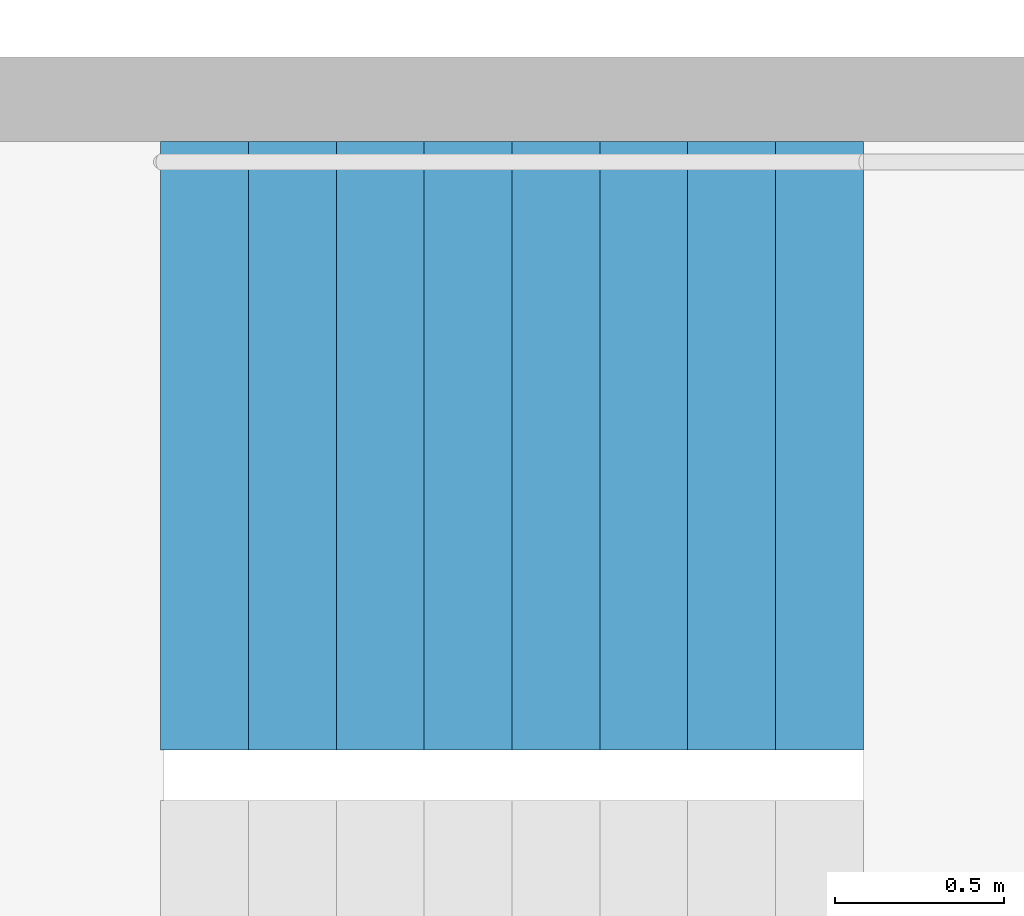
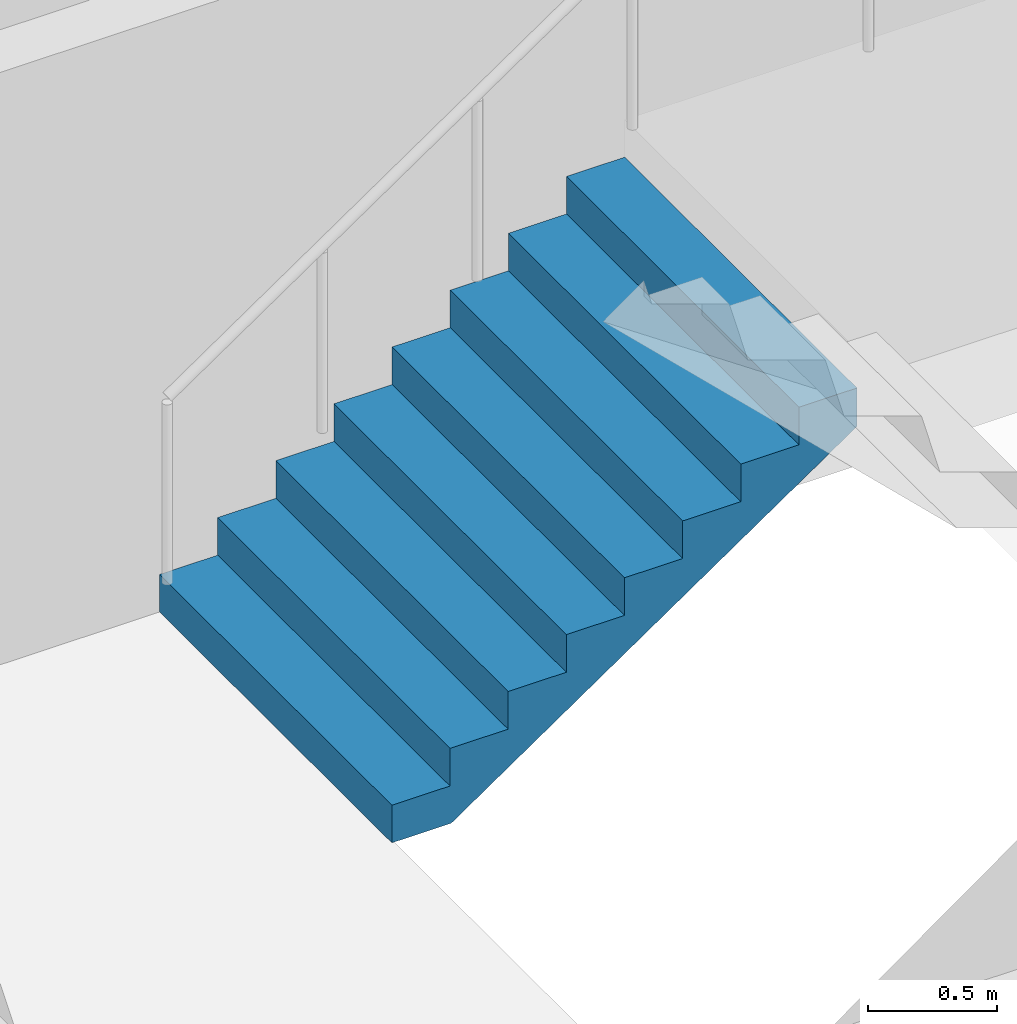
# One storey, part 26 of 29: 1 stair flight, 1 element without a shape of its own.
"""IFC4 building model written with IfcOpenShell, lengths in metres."""

from ifc_helpers import new_model, si_unit, direction, frame, origin, place, context, subcontext, project, spatial, triangles, material, type_object, element, aggregate, save


model = new_model("IFC4")

# Units and contexts
model_context = context("Model", 3, precision=1e-05, world=origin(), true_north=direction((0.0, 1.0)))
body_context = subcontext(model_context, "Body", "Model", "MODEL_VIEW")
ifc_project = project(units=[si_unit("LENGTHUNIT", "METRE"), si_unit("AREAUNIT", "SQUARE_METRE"), si_unit("VOLUMEUNIT", "CUBIC_METRE"), si_unit("PLANEANGLEUNIT", "RADIAN"), si_unit("MASSUNIT", "GRAM", prefix="KILO")], contexts=[model_context])

# Site, building, storey
site_placement = place(None, origin())
site = spatial("IfcSite", under=ifc_project, at=site_placement, CompositionType="ELEMENT")
building_placement = place(site_placement, origin())
building = spatial("IfcBuilding", under=site, at=building_placement, Name="Hakoniwa Tower and Hamabe Station Hall", CompositionType="ELEMENT")
storey_placement = place(building_placement, frame((0.0, 0.0, 104.199951171875)))
storey = spatial("IfcBuildingStorey", under=building, at=storey_placement, Name="L29", CompositionType="ELEMENT", Elevation=104.199951171875)

# Stair, stair flight
ifc_material_1 = material(Name="Concrete C40", Category="concrete")
stair_type = type_object("IfcStairType", Name="ESCAPE STAIR 1800", PredefinedType="HALF_TURN_STAIR", material=ifc_material_1)
stair_placement = place(storey_placement, origin())
stair = element("IfcStair", 1, at=stair_placement, inside=storey, type_object=stair_type, Name="Escape stair ST-4 L29", PredefinedType="HALF_TURN_STAIR")
ifc_material_2 = material(Name="Concrete C40", Category="concrete")
stair_flight_type = type_object("IfcStairFlightType", Name="STAIR FLIGHT 1800", PredefinedType="STRAIGHT", material=ifc_material_2)
stair_flight_placement = place(storey_placement, frame((23.39990234375, -4.64990234375, 0.0), z_axis=(0.0, 0.0, 1.0), x_axis=(1.0, 0.0, 0.0)))
stair_flight = element("IfcStairFlight", 2, at=stair_flight_placement, type_object=stair_flight_type, Name="ST-4 flight 1", NumberOfRisers=9, NumberOfTreads=8, PredefinedType="STRAIGHT", RiserHeight=0.177777778, TreadLength=0.26, context=body_context, shape_type="Tessellation", body=[
    triangles([(0.0, 0.89990234375, 0.0), (0.260009765625, 0.89990234375, 0.0), (0.265625, 0.89990234375, 0.0), (0.52001953125, 0.89990234375, 0.174072265625), (0.780029296875, 0.89990234375, 0.351806640625), (1.0400390625, 0.89990234375, 0.529541015625), (1.300048828125, 0.89990234375, 0.707275390625), (1.56005859375, 0.89990234375, 0.885009765625), (1.820068359375, 0.89990234375, 1.062744140625), (2.080078125, 0.89990234375, 1.24072265625), (2.080078125, 0.89990234375, 1.422119140625), (1.820068359375, 0.89990234375, 1.422119140625), (1.820068359375, 0.89990234375, 1.244384765625), (1.56005859375, 0.89990234375, 1.244384765625), (1.56005859375, 0.89990234375, 1.066650390625), (1.300048828125, 0.89990234375, 1.066650390625), (1.300048828125, 0.89990234375, 0.888916015625), (1.0400390625, 0.89990234375, 0.888916015625), (1.0400390625, 0.89990234375, 0.711181640625), (0.780029296875, 0.89990234375, 0.711181640625), (0.780029296875, 0.89990234375, 0.533447265625), (0.52001953125, 0.89990234375, 0.533447265625), (0.52001953125, 0.89990234375, 0.35546875), (0.265625, 0.89990234375, 0.35546875), (0.260009765625, 0.89990234375, 0.35546875), (0.260009765625, 0.89990234375, 0.177734375), (0.0, 0.89990234375, 0.177734375), (0.0, 0.06005859375, 0.0), (0.260009765625, 0.06005859375, 0.0), (0.265625, 0.06005859375, 0.0), (0.52001953125, 0.06005859375, 0.174072265625), (0.780029296875, 0.06005859375, 0.351806640625), (1.0400390625, 0.06005859375, 0.529541015625), (1.300048828125, 0.06005859375, 0.707275390625), (1.56005859375, 0.06005859375, 0.885009765625), (1.820068359375, 0.06005859375, 1.062744140625), (2.080078125, 0.06005859375, 1.24072265625), (2.080078125, 0.06005859375, 1.422119140625), (1.820068359375, 0.06005859375, 1.422119140625), (1.820068359375, 0.06005859375, 1.244384765625), (1.56005859375, 0.06005859375, 1.244384765625), (1.56005859375, 0.06005859375, 1.066650390625), (1.300048828125, 0.06005859375, 1.066650390625), (1.300048828125, 0.06005859375, 0.888916015625), (1.0400390625, 0.06005859375, 0.888916015625), (1.0400390625, 0.06005859375, 0.711181640625), (0.780029296875, 0.06005859375, 0.711181640625), (0.780029296875, 0.06005859375, 0.533447265625), (0.52001953125, 0.06005859375, 0.533447265625), (0.52001953125, 0.06005859375, 0.35546875), (0.265625, 0.06005859375, 0.35546875), (0.260009765625, 0.06005859375, 0.35546875), (0.260009765625, 0.06005859375, 0.177734375), (0.0, 0.06005859375, 0.177734375), (0.0, 0.04296875, 0.0), (0.260009765625, 0.04296875, 0.0), (0.265625, 0.04296875, 0.0), (0.52001953125, 0.04296875, 0.174072265625), (0.780029296875, 0.04296875, 0.351806640625), (1.0400390625, 0.04296875, 0.529541015625), (1.300048828125, 0.04296875, 0.707275390625), (1.56005859375, 0.04296875, 0.885009765625), (1.820068359375, 0.04296875, 1.062744140625), (2.080078125, 0.04296875, 1.24072265625), (2.080078125, 0.04296875, 1.422119140625), (1.820068359375, 0.04296875, 1.422119140625), (1.820068359375, 0.04296875, 1.244384765625), (1.56005859375, 0.04296875, 1.244384765625), (1.56005859375, 0.04296875, 1.066650390625), (1.300048828125, 0.04296875, 1.066650390625), (1.300048828125, 0.04296875, 0.888916015625), (1.0400390625, 0.04296875, 0.888916015625), (1.0400390625, 0.04296875, 0.711181640625), (0.780029296875, 0.04296875, 0.711181640625), (0.780029296875, 0.04296875, 0.533447265625), (0.52001953125, 0.04296875, 0.533447265625), (0.52001953125, 0.04296875, 0.35546875), (0.265625, 0.04296875, 0.35546875), (0.260009765625, 0.04296875, 0.35546875), (0.260009765625, 0.04296875, 0.177734375), (0.0, 0.04296875, 0.177734375), (0.0, 0.025634765625, 0.0), (0.260009765625, 0.025634765625, 0.0), (0.265625, 0.025634765625, 0.0), (0.52001953125, 0.025634765625, 0.174072265625), (0.780029296875, 0.025634765625, 0.351806640625), (1.0400390625, 0.025634765625, 0.529541015625), (1.300048828125, 0.025634765625, 0.707275390625), (1.56005859375, 0.025634765625, 0.885009765625), (1.820068359375, 0.025634765625, 1.062744140625), (2.080078125, 0.025634765625, 1.24072265625), (2.080078125, 0.025634765625, 1.422119140625), (1.820068359375, 0.025634765625, 1.422119140625), (1.820068359375, 0.025634765625, 1.244384765625), (1.56005859375, 0.025634765625, 1.244384765625), (1.56005859375, 0.025634765625, 1.066650390625), (1.300048828125, 0.025634765625, 1.066650390625), (1.300048828125, 0.025634765625, 0.888916015625), (1.0400390625, 0.025634765625, 0.888916015625), (1.0400390625, 0.025634765625, 0.711181640625), (0.780029296875, 0.025634765625, 0.711181640625), (0.780029296875, 0.025634765625, 0.533447265625), (0.52001953125, 0.025634765625, 0.533447265625), (0.52001953125, 0.025634765625, 0.35546875), (0.265625, 0.025634765625, 0.35546875), (0.260009765625, 0.025634765625, 0.35546875), (0.260009765625, 0.025634765625, 0.177734375), (0.0, 0.025634765625, 0.177734375), (0.0, 0.008544921875, 0.0), (0.260009765625, 0.008544921875, 0.0), (0.265625, 0.008544921875, 0.0), (0.52001953125, 0.008544921875, 0.174072265625), (0.780029296875, 0.008544921875, 0.351806640625), (1.0400390625, 0.008544921875, 0.529541015625), (1.300048828125, 0.008544921875, 0.707275390625), (1.56005859375, 0.008544921875, 0.885009765625), (1.820068359375, 0.008544921875, 1.062744140625), (2.080078125, 0.008544921875, 1.24072265625), (2.080078125, 0.008544921875, 1.422119140625), (1.820068359375, 0.008544921875, 1.422119140625), (1.820068359375, 0.008544921875, 1.244384765625), (1.56005859375, 0.008544921875, 1.244384765625), (1.56005859375, 0.008544921875, 1.066650390625), (1.300048828125, 0.008544921875, 1.066650390625), (1.300048828125, 0.008544921875, 0.888916015625), (1.0400390625, 0.008544921875, 0.888916015625), (1.0400390625, 0.008544921875, 0.711181640625), (0.780029296875, 0.008544921875, 0.711181640625), (0.780029296875, 0.008544921875, 0.533447265625), (0.52001953125, 0.008544921875, 0.533447265625), (0.52001953125, 0.008544921875, 0.35546875), (0.265625, 0.008544921875, 0.35546875), (0.260009765625, 0.008544921875, 0.35546875), (0.260009765625, 0.008544921875, 0.177734375), (0.0, 0.008544921875, 0.177734375), (0.0, -0.008544921875, 0.0), (0.260009765625, -0.008544921875, 0.0), (0.265625, -0.008544921875, 0.0), (0.52001953125, -0.008544921875, 0.174072265625), (0.780029296875, -0.008544921875, 0.351806640625), (1.0400390625, -0.008544921875, 0.529541015625), (1.300048828125, -0.008544921875, 0.707275390625), (1.56005859375, -0.008544921875, 0.885009765625), (1.820068359375, -0.008544921875, 1.062744140625), (2.080078125, -0.008544921875, 1.24072265625), (2.080078125, -0.008544921875, 1.422119140625), (1.820068359375, -0.008544921875, 1.422119140625), (1.820068359375, -0.008544921875, 1.244384765625), (1.56005859375, -0.008544921875, 1.244384765625), (1.56005859375, -0.008544921875, 1.066650390625), (1.300048828125, -0.008544921875, 1.066650390625), (1.300048828125, -0.008544921875, 0.888916015625), (1.0400390625, -0.008544921875, 0.888916015625), (1.0400390625, -0.008544921875, 0.711181640625), (0.780029296875, -0.008544921875, 0.711181640625), (0.780029296875, -0.008544921875, 0.533447265625), (0.52001953125, -0.008544921875, 0.533447265625), (0.52001953125, -0.008544921875, 0.35546875), (0.265625, -0.008544921875, 0.35546875), (0.260009765625, -0.008544921875, 0.35546875), (0.260009765625, -0.008544921875, 0.177734375), (0.0, -0.008544921875, 0.177734375), (0.0, -0.025634765625, 0.0), (0.260009765625, -0.025634765625, 0.0), (0.265625, -0.025634765625, 0.0), (0.52001953125, -0.025634765625, 0.174072265625), (0.780029296875, -0.025634765625, 0.351806640625), (1.0400390625, -0.025634765625, 0.529541015625), (1.300048828125, -0.025634765625, 0.707275390625), (1.56005859375, -0.025634765625, 0.885009765625), (1.820068359375, -0.025634765625, 1.062744140625), (2.080078125, -0.025634765625, 1.24072265625), (2.080078125, -0.025634765625, 1.422119140625), (1.820068359375, -0.025634765625, 1.422119140625), (1.820068359375, -0.025634765625, 1.244384765625), (1.56005859375, -0.025634765625, 1.244384765625), (1.56005859375, -0.025634765625, 1.066650390625), (1.300048828125, -0.025634765625, 1.066650390625), (1.300048828125, -0.025634765625, 0.888916015625), (1.0400390625, -0.025634765625, 0.888916015625), (1.0400390625, -0.025634765625, 0.711181640625), (0.780029296875, -0.025634765625, 0.711181640625), (0.780029296875, -0.025634765625, 0.533447265625), (0.52001953125, -0.025634765625, 0.533447265625), (0.52001953125, -0.025634765625, 0.35546875), (0.265625, -0.025634765625, 0.35546875), (0.260009765625, -0.025634765625, 0.35546875), (0.260009765625, -0.025634765625, 0.177734375), (0.0, -0.025634765625, 0.177734375), (0.0, -0.04296875, 0.0), (0.260009765625, -0.04296875, 0.0), (0.265625, -0.04296875, 0.0), (0.52001953125, -0.04296875, 0.174072265625), (0.780029296875, -0.04296875, 0.351806640625), (1.0400390625, -0.04296875, 0.529541015625), (1.300048828125, -0.04296875, 0.707275390625), (1.56005859375, -0.04296875, 0.885009765625), (1.820068359375, -0.04296875, 1.062744140625), (2.080078125, -0.04296875, 1.24072265625), (2.080078125, -0.04296875, 1.422119140625), (1.820068359375, -0.04296875, 1.422119140625), (1.820068359375, -0.04296875, 1.244384765625), (1.56005859375, -0.04296875, 1.244384765625), (1.56005859375, -0.04296875, 1.066650390625), (1.300048828125, -0.04296875, 1.066650390625), (1.300048828125, -0.04296875, 0.888916015625), (1.0400390625, -0.04296875, 0.888916015625), (1.0400390625, -0.04296875, 0.711181640625), (0.780029296875, -0.04296875, 0.711181640625), (0.780029296875, -0.04296875, 0.533447265625), (0.52001953125, -0.04296875, 0.533447265625), (0.52001953125, -0.04296875, 0.35546875), (0.265625, -0.04296875, 0.35546875), (0.260009765625, -0.04296875, 0.35546875), (0.260009765625, -0.04296875, 0.177734375), (0.0, -0.04296875, 0.177734375), (0.0, -0.06005859375, 0.0), (0.260009765625, -0.06005859375, 0.0), (0.265625, -0.06005859375, 0.0), (0.52001953125, -0.06005859375, 0.174072265625), (0.780029296875, -0.06005859375, 0.351806640625), (1.0400390625, -0.06005859375, 0.529541015625), (1.300048828125, -0.06005859375, 0.707275390625), (1.56005859375, -0.06005859375, 0.885009765625), (1.820068359375, -0.06005859375, 1.062744140625), (2.080078125, -0.06005859375, 1.24072265625), (2.080078125, -0.06005859375, 1.422119140625), (1.820068359375, -0.06005859375, 1.422119140625), (1.820068359375, -0.06005859375, 1.244384765625), (1.56005859375, -0.06005859375, 1.244384765625), (1.56005859375, -0.06005859375, 1.066650390625), (1.300048828125, -0.06005859375, 1.066650390625), (1.300048828125, -0.06005859375, 0.888916015625), (1.0400390625, -0.06005859375, 0.888916015625), (1.0400390625, -0.06005859375, 0.711181640625), (0.780029296875, -0.06005859375, 0.711181640625), (0.780029296875, -0.06005859375, 0.533447265625), (0.52001953125, -0.06005859375, 0.533447265625), (0.52001953125, -0.06005859375, 0.35546875), (0.265625, -0.06005859375, 0.35546875), (0.260009765625, -0.06005859375, 0.35546875), (0.260009765625, -0.06005859375, 0.177734375), (0.0, -0.06005859375, 0.177734375), (0.0, -0.89990234375, 0.0), (0.260009765625, -0.89990234375, 0.0), (0.265625, -0.89990234375, 0.0), (0.52001953125, -0.89990234375, 0.174072265625), (0.780029296875, -0.89990234375, 0.351806640625), (1.0400390625, -0.89990234375, 0.529541015625), (1.300048828125, -0.89990234375, 0.707275390625), (1.56005859375, -0.89990234375, 0.885009765625), (1.820068359375, -0.89990234375, 1.062744140625), (2.080078125, -0.89990234375, 1.24072265625), (2.080078125, -0.89990234375, 1.422119140625), (1.820068359375, -0.89990234375, 1.422119140625), (1.820068359375, -0.89990234375, 1.244384765625), (1.56005859375, -0.89990234375, 1.244384765625), (1.56005859375, -0.89990234375, 1.066650390625), (1.300048828125, -0.89990234375, 1.066650390625), (1.300048828125, -0.89990234375, 0.888916015625), (1.0400390625, -0.89990234375, 0.888916015625), (1.0400390625, -0.89990234375, 0.711181640625), (0.780029296875, -0.89990234375, 0.711181640625), (0.780029296875, -0.89990234375, 0.533447265625), (0.52001953125, -0.89990234375, 0.533447265625), (0.52001953125, -0.89990234375, 0.35546875), (0.265625, -0.89990234375, 0.35546875), (0.260009765625, -0.89990234375, 0.35546875), (0.260009765625, -0.89990234375, 0.177734375), (0.0, -0.89990234375, 0.177734375)], [[2, 27, 26], [245, 269, 270], [2, 1, 27], [245, 270, 244], [3, 25, 24], [246, 267, 268], [3, 26, 25], [246, 268, 269], [3, 2, 26], [246, 269, 245], [4, 24, 23], [247, 266, 267], [4, 3, 24], [247, 267, 246], [5, 22, 21], [248, 264, 265], [5, 23, 22], [248, 265, 266], [5, 4, 23], [248, 266, 247], [6, 20, 19], [249, 262, 263], [6, 21, 20], [249, 263, 264], [6, 5, 21], [249, 264, 248], [7, 18, 17], [250, 260, 261], [7, 19, 18], [250, 261, 262], [7, 6, 19], [250, 262, 249], [8, 16, 15], [251, 258, 259], [8, 17, 16], [251, 259, 260], [8, 7, 17], [251, 260, 250], [9, 14, 13], [252, 256, 257], [9, 15, 14], [252, 257, 258], [9, 8, 15], [252, 258, 251], [10, 12, 11], [253, 254, 255], [10, 13, 12], [253, 255, 256], [10, 9, 13], [253, 256, 252], [1, 2, 29], [1, 29, 28], [28, 29, 56], [28, 56, 55], [55, 56, 83], [55, 83, 82], [82, 83, 110], [82, 110, 109], [109, 110, 137], [109, 137, 136], [136, 137, 164], [136, 164, 163], [163, 164, 191], [163, 191, 190], [190, 191, 218], [190, 218, 217], [217, 218, 245], [217, 245, 244], [2, 3, 30], [2, 30, 29], [29, 30, 57], [29, 57, 56], [56, 57, 84], [56, 84, 83], [83, 84, 111], [83, 111, 110], [110, 111, 138], [110, 138, 137], [137, 138, 165], [137, 165, 164], [164, 165, 192], [164, 192, 191], [191, 192, 219], [191, 219, 218], [218, 219, 246], [218, 246, 245], [3, 4, 31], [3, 31, 30], [30, 31, 58], [30, 58, 57], [57, 58, 85], [57, 85, 84], [84, 85, 112], [84, 112, 111], [111, 112, 139], [111, 139, 138], [138, 139, 166], [138, 166, 165], [165, 166, 193], [165, 193, 192], [192, 193, 220], [192, 220, 219], [219, 220, 247], [219, 247, 246], [4, 5, 32], [4, 32, 31], [31, 32, 59], [31, 59, 58], [58, 59, 86], [58, 86, 85], [85, 86, 113], [85, 113, 112], [112, 113, 140], [112, 140, 139], [139, 140, 167], [139, 167, 166], [166, 167, 194], [166, 194, 193], [193, 194, 221], [193, 221, 220], [220, 221, 248], [220, 248, 247], [5, 6, 33], [5, 33, 32], [32, 33, 60], [32, 60, 59], [59, 60, 87], [59, 87, 86], [86, 87, 114], [86, 114, 113], [113, 114, 141], [113, 141, 140], [140, 141, 168], [140, 168, 167], [167, 168, 195], [167, 195, 194], [194, 195, 222], [194, 222, 221], [221, 222, 249], [221, 249, 248], [6, 7, 34], [6, 34, 33], [33, 34, 61], [33, 61, 60], [60, 61, 88], [60, 88, 87], [87, 88, 115], [87, 115, 114], [114, 115, 142], [114, 142, 141], [141, 142, 169], [141, 169, 168], [168, 169, 196], [168, 196, 195], [195, 196, 223], [195, 223, 222], [222, 223, 250], [222, 250, 249], [7, 8, 35], [7, 35, 34], [34, 35, 62], [34, 62, 61], [61, 62, 89], [61, 89, 88], [88, 89, 116], [88, 116, 115], [115, 116, 143], [115, 143, 142], [142, 143, 170], [142, 170, 169], [169, 170, 197], [169, 197, 196], [196, 197, 224], [196, 224, 223], [223, 224, 251], [223, 251, 250], [8, 9, 36], [8, 36, 35], [35, 36, 63], [35, 63, 62], [62, 63, 90], [62, 90, 89], [89, 90, 117], [89, 117, 116], [116, 117, 144], [116, 144, 143], [143, 144, 171], [143, 171, 170], [170, 171, 198], [170, 198, 197], [197, 198, 225], [197, 225, 224], [224, 225, 252], [224, 252, 251], [9, 10, 37], [9, 37, 36], [36, 37, 64], [36, 64, 63], [63, 64, 91], [63, 91, 90], [90, 91, 118], [90, 118, 117], [117, 118, 145], [117, 145, 144], [144, 145, 172], [144, 172, 171], [171, 172, 199], [171, 199, 198], [198, 199, 226], [198, 226, 225], [225, 226, 253], [225, 253, 252], [10, 11, 38], [10, 38, 37], [37, 38, 65], [37, 65, 64], [64, 65, 92], [64, 92, 91], [91, 92, 119], [91, 119, 118], [118, 119, 146], [118, 146, 145], [145, 146, 173], [145, 173, 172], [172, 173, 200], [172, 200, 199], [199, 200, 227], [199, 227, 226], [226, 227, 254], [226, 254, 253], [11, 12, 39], [11, 39, 38], [38, 39, 66], [38, 66, 65], [65, 66, 93], [65, 93, 92], [92, 93, 120], [92, 120, 119], [119, 120, 147], [119, 147, 146], [146, 147, 174], [146, 174, 173], [173, 174, 201], [173, 201, 200], [200, 201, 228], [200, 228, 227], [227, 228, 255], [227, 255, 254], [12, 13, 40], [12, 40, 39], [39, 40, 67], [39, 67, 66], [66, 67, 94], [66, 94, 93], [93, 94, 121], [93, 121, 120], [120, 121, 148], [120, 148, 147], [147, 148, 175], [147, 175, 174], [174, 175, 202], [174, 202, 201], [201, 202, 229], [201, 229, 228], [228, 229, 256], [228, 256, 255], [13, 14, 41], [13, 41, 40], [40, 41, 68], [40, 68, 67], [67, 68, 95], [67, 95, 94], [94, 95, 122], [94, 122, 121], [121, 122, 149], [121, 149, 148], [148, 149, 176], [148, 176, 175], [175, 176, 203], [175, 203, 202], [202, 203, 230], [202, 230, 229], [229, 230, 257], [229, 257, 256], [14, 15, 42], [14, 42, 41], [41, 42, 69], [41, 69, 68], [68, 69, 96], [68, 96, 95], [95, 96, 123], [95, 123, 122], [122, 123, 150], [122, 150, 149], [149, 150, 177], [149, 177, 176], [176, 177, 204], [176, 204, 203], [203, 204, 231], [203, 231, 230], [230, 231, 258], [230, 258, 257], [15, 16, 43], [15, 43, 42], [42, 43, 70], [42, 70, 69], [69, 70, 97], [69, 97, 96], [96, 97, 124], [96, 124, 123], [123, 124, 151], [123, 151, 150], [150, 151, 178], [150, 178, 177], [177, 178, 205], [177, 205, 204], [204, 205, 232], [204, 232, 231], [231, 232, 259], [231, 259, 258], [16, 17, 44], [16, 44, 43], [43, 44, 71], [43, 71, 70], [70, 71, 98], [70, 98, 97], [97, 98, 125], [97, 125, 124], [124, 125, 152], [124, 152, 151], [151, 152, 179], [151, 179, 178], [178, 179, 206], [178, 206, 205], [205, 206, 233], [205, 233, 232], [232, 233, 260], [232, 260, 259], [17, 18, 45], [17, 45, 44], [44, 45, 72], [44, 72, 71], [71, 72, 99], [71, 99, 98], [98, 99, 126], [98, 126, 125], [125, 126, 153], [125, 153, 152], [152, 153, 180], [152, 180, 179], [179, 180, 207], [179, 207, 206], [206, 207, 234], [206, 234, 233], [233, 234, 261], [233, 261, 260], [18, 19, 46], [18, 46, 45], [45, 46, 73], [45, 73, 72], [72, 73, 100], [72, 100, 99], [99, 100, 127], [99, 127, 126], [126, 127, 154], [126, 154, 153], [153, 154, 181], [153, 181, 180], [180, 181, 208], [180, 208, 207], [207, 208, 235], [207, 235, 234], [234, 235, 262], [234, 262, 261], [19, 20, 47], [19, 47, 46], [46, 47, 74], [46, 74, 73], [73, 74, 101], [73, 101, 100], [100, 101, 128], [100, 128, 127], [127, 128, 155], [127, 155, 154], [154, 155, 182], [154, 182, 181], [181, 182, 209], [181, 209, 208], [208, 209, 236], [208, 236, 235], [235, 236, 263], [235, 263, 262], [20, 21, 48], [20, 48, 47], [47, 48, 75], [47, 75, 74], [74, 75, 102], [74, 102, 101], [101, 102, 129], [101, 129, 128], [128, 129, 156], [128, 156, 155], [155, 156, 183], [155, 183, 182], [182, 183, 210], [182, 210, 209], [209, 210, 237], [209, 237, 236], [236, 237, 264], [236, 264, 263], [21, 22, 49], [21, 49, 48], [48, 49, 76], [48, 76, 75], [75, 76, 103], [75, 103, 102], [102, 103, 130], [102, 130, 129], [129, 130, 157], [129, 157, 156], [156, 157, 184], [156, 184, 183], [183, 184, 211], [183, 211, 210], [210, 211, 238], [210, 238, 237], [237, 238, 265], [237, 265, 264], [22, 23, 50], [22, 50, 49], [49, 50, 77], [49, 77, 76], [76, 77, 104], [76, 104, 103], [103, 104, 131], [103, 131, 130], [130, 131, 158], [130, 158, 157], [157, 158, 185], [157, 185, 184], [184, 185, 212], [184, 212, 211], [211, 212, 239], [211, 239, 238], [238, 239, 266], [238, 266, 265], [23, 24, 51], [23, 51, 50], [50, 51, 78], [50, 78, 77], [77, 78, 105], [77, 105, 104], [104, 105, 132], [104, 132, 131], [131, 132, 159], [131, 159, 158], [158, 159, 186], [158, 186, 185], [185, 186, 213], [185, 213, 212], [212, 213, 240], [212, 240, 239], [239, 240, 267], [239, 267, 266], [24, 25, 52], [24, 52, 51], [51, 52, 79], [51, 79, 78], [78, 79, 106], [78, 106, 105], [105, 106, 133], [105, 133, 132], [132, 133, 160], [132, 160, 159], [159, 160, 187], [159, 187, 186], [186, 187, 214], [186, 214, 213], [213, 214, 241], [213, 241, 240], [240, 241, 268], [240, 268, 267], [25, 26, 53], [25, 53, 52], [52, 53, 80], [52, 80, 79], [79, 80, 107], [79, 107, 106], [106, 107, 134], [106, 134, 133], [133, 134, 161], [133, 161, 160], [160, 161, 188], [160, 188, 187], [187, 188, 215], [187, 215, 214], [214, 215, 242], [214, 242, 241], [241, 242, 269], [241, 269, 268], [26, 27, 54], [26, 54, 53], [53, 54, 81], [53, 81, 80], [80, 81, 108], [80, 108, 107], [107, 108, 135], [107, 135, 134], [134, 135, 162], [134, 162, 161], [161, 162, 189], [161, 189, 188], [188, 189, 216], [188, 216, 215], [215, 216, 243], [215, 243, 242], [242, 243, 270], [242, 270, 269], [27, 1, 28], [27, 28, 54], [54, 28, 55], [54, 55, 81], [81, 55, 82], [81, 82, 108], [108, 82, 109], [108, 109, 135], [135, 109, 136], [135, 136, 162], [162, 136, 163], [162, 163, 189], [189, 163, 190], [189, 190, 216], [216, 190, 217], [216, 217, 243], [243, 217, 244], [243, 244, 270]], closed=True),
])
aggregate(stair, [stair_flight])

save(model, "model.ifc")
